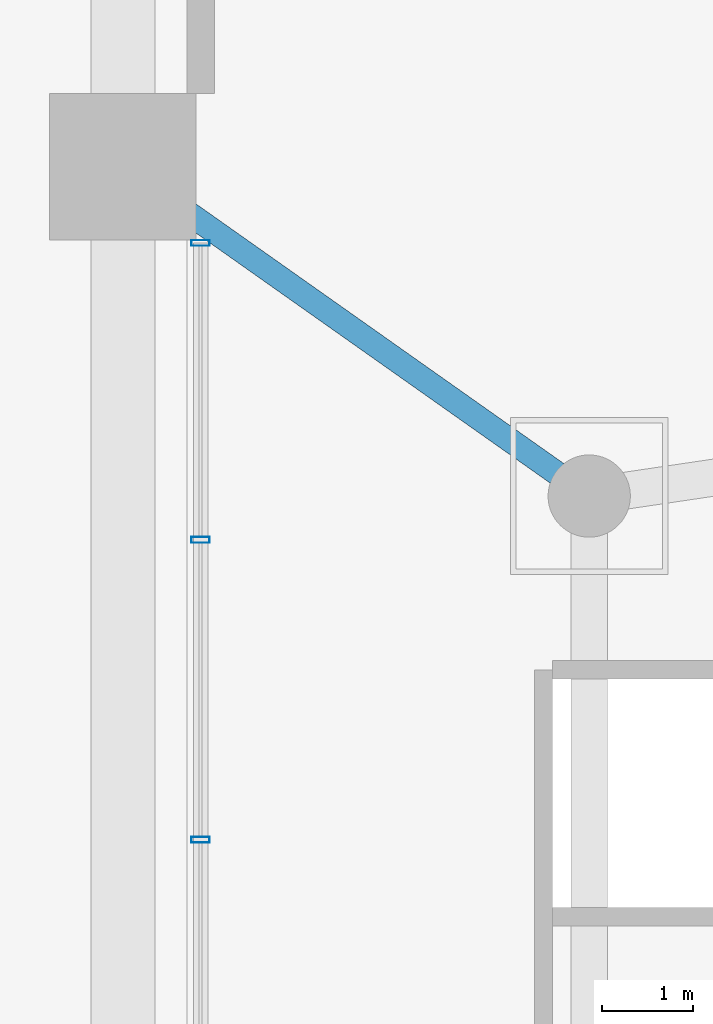
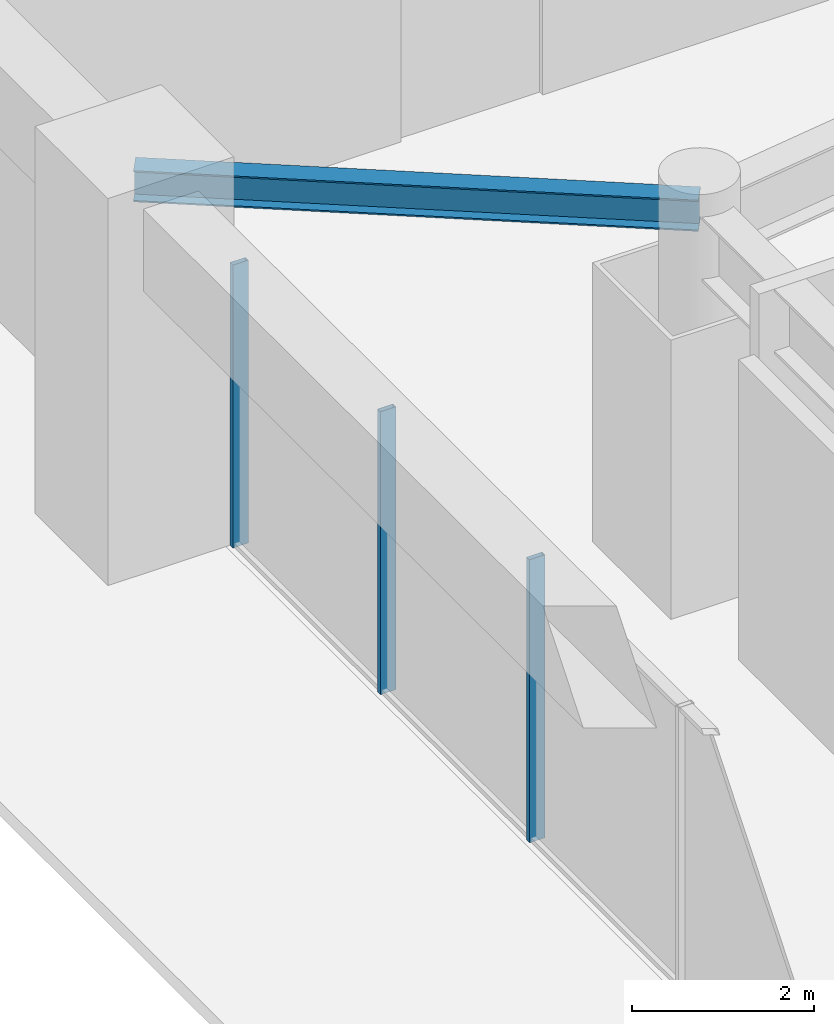
# One storey, part 8 of 27: 3 members, 1 beam, 1 element without a shape of its own.
"""IFC4 building model written with IfcOpenShell, lengths in metres."""

from ifc_helpers import new_model, si_unit, direction, frame, origin, origin_2d, place, context, subcontext, project, spatial, hollow_rectangle, i_section, extrude, source, transform, mapped, material, layer, layer_set, material_profile, profile_set, type_object, element, aggregate, save


model = new_model("IFC4")

# Units and contexts
model_context = context("Model", 3, precision=1e-05, world=origin(), true_north=direction((0.0, 1.0)))
body_context = subcontext(model_context, "Body", "Model", "MODEL_VIEW")
ifc_project = project(units=[si_unit("LENGTHUNIT", "METRE"), si_unit("AREAUNIT", "SQUARE_METRE"), si_unit("VOLUMEUNIT", "CUBIC_METRE"), si_unit("PLANEANGLEUNIT", "RADIAN"), si_unit("MASSUNIT", "GRAM", prefix="KILO")], contexts=[model_context])

# Site, building, storey
site_placement = place(None, origin())
site = spatial("IfcSite", under=ifc_project, at=site_placement, CompositionType="ELEMENT")
building_placement = place(site_placement, origin())
building = spatial("IfcBuilding", under=site, at=building_placement, Name="Veraguas Prism Commons", CompositionType="ELEMENT")
storey_placement = place(building_placement, origin())
storey = spatial("IfcBuildingStorey", under=building, at=storey_placement, Name="L00", CompositionType="ELEMENT", Elevation=0.0)

# Beam
ifc_material_1 = material(Name="Steel ASTM A992 Grade 50", Category="steel")
ifc_material_profile_1 = material_profile(ifc_material_1, i_section(OverallWidth=0.260986328125, OverallDepth=0.419921875, WebThickness=0.01171875, FlangeThickness=0.019287109375, at=origin_2d()), Name="W410X114")
ifc_profile_set_1 = profile_set([ifc_material_profile_1], Name="Steel ASTM A992 Grade 50")
beam_type = type_object("IfcBeamType", Name="Lower Floor Joist W410x114", PredefinedType="JOIST", material=ifc_profile_set_1)
beam_placement = place(storey_placement, frame((6.39990234375, 29.39990234375, 4.68994140625), z_axis=(-0.816952688962, 0.576704693927, 0.0), x_axis=(-0.576704693927, -0.816952688962, 0.0)))
element("IfcBeam", 1, at=beam_placement, inside=storey, type_object=beam_type, Name="Podium Tie Beam L00-TMT05", PredefinedType="JOIST", context=body_context, shape_type="SweptSolid", body=[
    extrude(i_section(OverallWidth=0.260986328125, OverallDepth=0.419921875, WebThickness=0.01171875, FlangeThickness=0.019287109375, at=origin_2d()), origin(), (0.0, 0.0, 1.0), 6.242431640625),
])

# Curtain wall, members
ifc_material_2 = material(Name="Anodised aluminium EN AW-6063 T6", Category="aluminium")
ifc_layer = layer(ifc_material_2, 0.199951171875, Name="Metro Concourse Structural Glazing", Category="aluminium")
ifc_layer_set = layer_set([ifc_layer], Name="Anodised aluminium EN AW-6063 T6")
curtain_wall_type = type_object("IfcCurtainWallType", Name="Metro Concourse Structural Glazing", PredefinedType="NOTDEFINED", material=ifc_layer_set)
curtain_wall_placement = place(storey_placement, origin())
curtain_wall = element("IfcCurtainWall", 2, at=curtain_wall_placement, inside=storey, type_object=curtain_wall_type, Name="Via Espana Metro Concourse Curtain Wall L00-W02", PredefinedType="NOTDEFINED")
ifc_material_profile_2 = material_profile(ifc_material_2, hollow_rectangle(XDim=0.06494140625, YDim=0.199951171875, WallThickness=0.00390625, at=origin_2d()), Name="AL65X200X4")
ifc_profile_set_2 = profile_set([ifc_material_profile_2], Name="Anodised aluminium EN AW-6063 T6")
member_type = type_object("IfcMemberType", Name="Curtain Wall Mullion Heavy AL 65x200x4", PredefinedType="MULLION", material=ifc_profile_set_2)
shared_shape = source(origin(), body_context, "Body", "SweptSolid", [
    extrude(hollow_rectangle(XDim=0.06494140625, YDim=0.199951171875, WallThickness=0.00390625, at=origin_2d()), origin(), (0.0, 0.0, 1.0), 3.800048828125),
])
member_1_placement = place(storey_placement, frame((2.14990234375, 32.16748046875, 0.0), z_axis=(0.0, 0.0, 1.0), x_axis=(0.0, -1.0, 0.0)))
member_1 = element("IfcMember", 3, at=member_1_placement, type_object=member_type, Name="CW-STN Mullion 1", PredefinedType="MULLION", context=body_context, shape_type="MappedRepresentation", body=[
    mapped(shared_shape, transform((0.0, 0.0, 0.0), scale=1.0)),
])
member_2_placement = place(storey_placement, frame((2.14990234375, 28.919921875, 0.0), z_axis=(0.0, 0.0, 1.0), x_axis=(0.0, -1.0, 0.0)))
member_2 = element("IfcMember", 4, at=member_2_placement, type_object=member_type, Name="CW-STN Mullion 2", PredefinedType="MULLION", context=body_context, shape_type="MappedRepresentation", body=[
    mapped(shared_shape, transform((0.0, 0.0, 0.0), scale=1.0)),
])
member_3_placement = place(storey_placement, frame((2.14990234375, 25.639892578125, 0.0), z_axis=(0.0, 0.0, 1.0), x_axis=(0.0, -1.0, 0.0)))
member_3 = element("IfcMember", 5, at=member_3_placement, type_object=member_type, Name="CW-STN Mullion 3", PredefinedType="MULLION", context=body_context, shape_type="MappedRepresentation", body=[
    mapped(shared_shape, transform((0.0, 0.0, 0.0), scale=1.0)),
])
aggregate(curtain_wall, [member_1, member_2, member_3])

save(model, "model.ifc")
